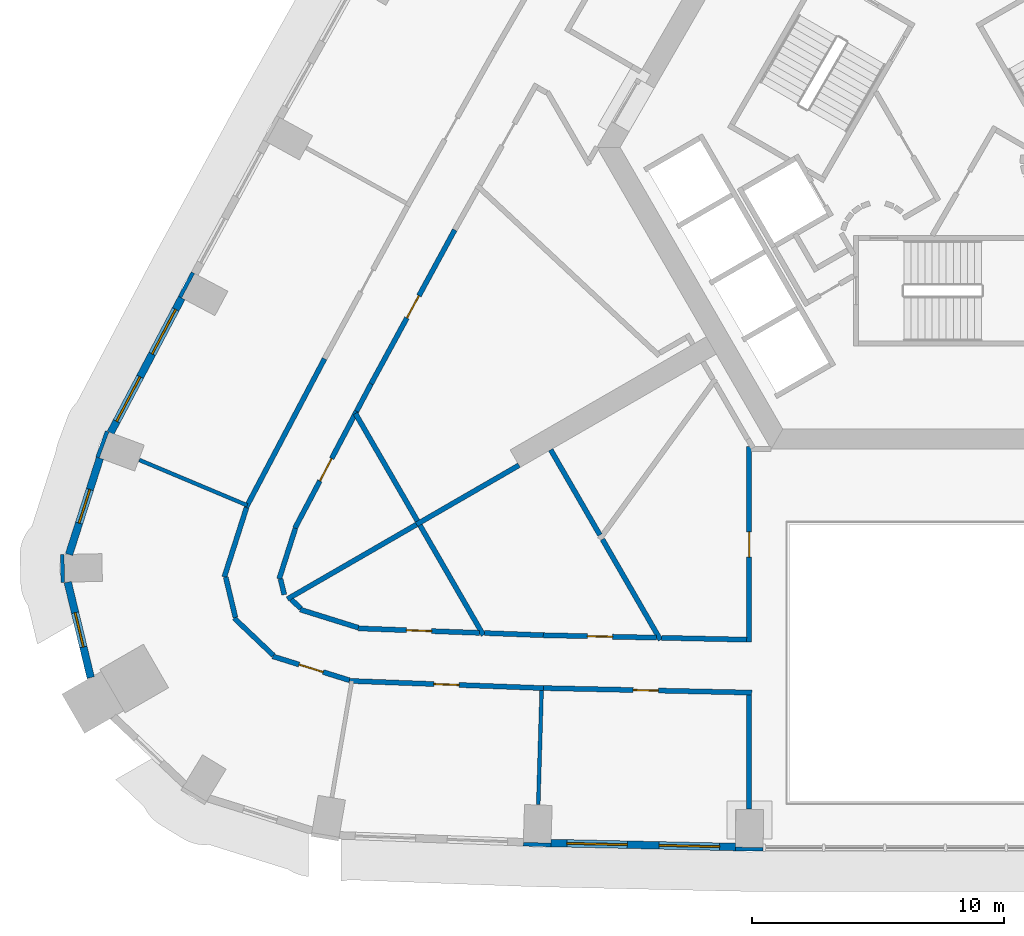
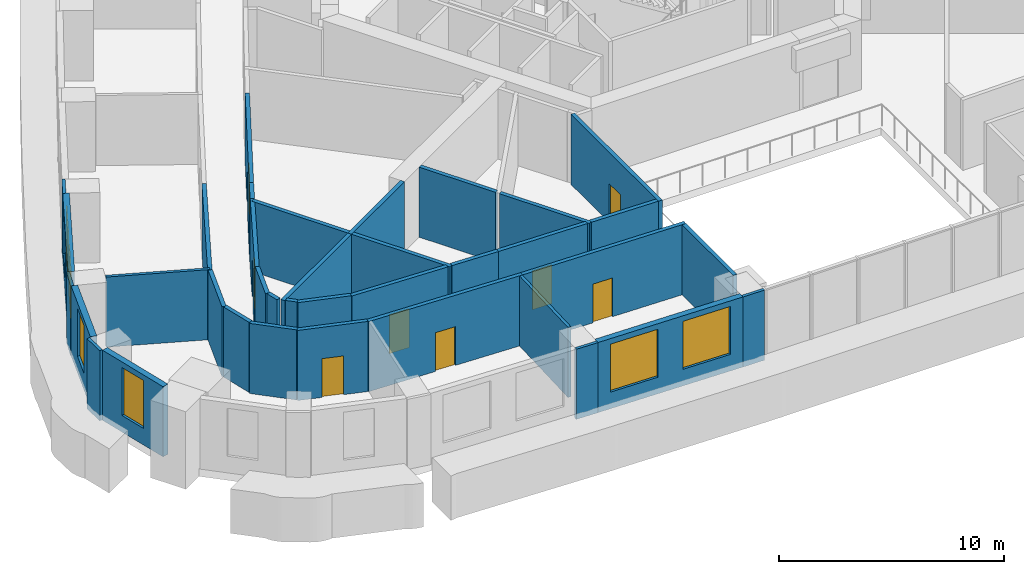
# One storey, part 4 of 17: 37 walls, 8 doors, 6 windows, 14 openings.
"""IFC4 building model written with IfcOpenShell, lengths in metres."""

from ifc_helpers import new_model, si_unit, direction, frame, frame_2d, origin, place, context, subcontext, project, spatial, rectangle, extrude, material, layer, layer_set, type_object, element, fill, save


model = new_model("IFC4")

# Units and contexts
model_context = context("Model", 3, precision=1e-05, world=origin(), true_north=direction((0.0, 1.0)))
body_context = subcontext(model_context, "Body", "Model", "MODEL_VIEW")
ifc_project = project(units=[si_unit("LENGTHUNIT", "METRE"), si_unit("AREAUNIT", "SQUARE_METRE"), si_unit("VOLUMEUNIT", "CUBIC_METRE"), si_unit("PLANEANGLEUNIT", "RADIAN"), si_unit("MASSUNIT", "GRAM", prefix="KILO")], contexts=[model_context])

# Site, building, storey
site_placement = place(None, origin())
site = spatial("IfcSite", under=ifc_project, at=site_placement, CompositionType="ELEMENT")
building_placement = place(site_placement, origin())
building = spatial("IfcBuilding", under=site, at=building_placement, Name="Entoto Arch Interchange Tower", CompositionType="ELEMENT")
storey_placement = place(building_placement, frame((0.0, 0.0, 167.60009765625)))
storey = spatial("IfcBuildingStorey", under=building, at=storey_placement, Name="L37", CompositionType="ELEMENT", Elevation=167.60009765625)

# Walls
ifc_material_1 = material(Name="Gypsum board partition on steel studs", Category="steel")
ifc_layer_1 = layer(ifc_material_1, 0.14990234375)
ifc_layer_set_1 = layer_set([ifc_layer_1], Name="Gypsum board partition on steel studs")
wall_type_1 = type_object("IfcWallType", Name="PARTITION 150", PredefinedType="PARTITIONING", material=ifc_layer_set_1)
wall_1_placement = place(storey_placement, frame((-27.7509765625, -11.72998046875, 0.0), z_axis=(0.0, 0.0, 1.0), x_axis=(-0.92196786851, 0.387266380462, 0.0)))
element("IfcWall", 1, at=wall_1_placement, inside=storey, type_object=wall_type_1, Name="wall:L37:p144", PredefinedType="PARTITIONING", context=body_context, shape_type="SweptSolid", body=[
    extrude(rectangle(XDim=4.653076171875, YDim=0.14990234375, at=frame_2d((2.32666015625, 0.0))), origin(), (0.0, 0.0, 1.0), 3.7998046875),
])
wall_2_placement = place(storey_placement, frame((-16.052001953125, -19.092041015625, 0.0), z_axis=(0.0, 0.0, 1.0), x_axis=(-0.029372127975, -0.999568545973, 0.0)))
element("IfcWall", 2, at=wall_2_placement, inside=storey, type_object=wall_type_1, Name="wall:L37:p146", PredefinedType="PARTITIONING", context=body_context, shape_type="SweptSolid", body=[
    extrude(rectangle(XDim=4.530029296875, YDim=0.14990234375, at=frame_2d((2.26513671875, 0.0))), origin(), (0.0, 0.0, 1.0), 3.7998046875),
])
ifc_layer_2 = layer(ifc_material_1, 0.199951171875)
ifc_layer_set_2 = layer_set([ifc_layer_2], Name="Gypsum board partition on steel studs")
wall_type_2 = type_object("IfcWallType", Name="PARTITION 200", PredefinedType="PARTITIONING", material=ifc_layer_set_2)
wall_3_placement = place(storey_placement, frame((-11.278076171875, -16.99609375, 0.0), z_axis=(0.0, 0.0, 1.0), x_axis=(0.999766613119, -0.021603687022, 0.0)))
element("IfcWall", 3, at=wall_3_placement, inside=storey, type_object=wall_type_2, Name="wall:L37:p031", PredefinedType="PARTITIONING", context=body_context, shape_type="SweptSolid", body=[
    extrude(rectangle(XDim=3.37890625, YDim=0.199951171875, at=frame_2d((1.689453125, 0.0))), origin(), (0.0, 0.0, 1.0), 3.7998046875),
])

# Wall, opening, door
wall_4_placement = place(storey_placement, frame((-19.506103515625, -0.784912109375, 0.0), z_axis=(0.0, 0.0, 1.0), x_axis=(-0.477513909405, -0.878624189472, 0.0)))
wall_4 = element("IfcWall", 4, at=wall_4_placement, inside=storey, type_object=wall_type_2, Name="wall:L37:p033", PredefinedType="PARTITIONING", context=body_context, shape_type="SweptSolid", body=[
    extrude(rectangle(XDim=6.956298828125, YDim=0.199951171875, at=frame_2d((3.47802734375, 0.0))), origin(), (0.0, 0.0, 1.0), 3.7998046875),
])
opening_1_placement = place(wall_4_placement, frame((2.97802734375, 0.0, 0.0)))
opening_1 = element("IfcOpeningElement", 5, at=opening_1_placement, cuts=wall_4, Name="Opening L37-D19", PredefinedType="OPENING", context=body_context, shape_type="SweptSolid", body=[
    extrude(rectangle(XDim=1.0, YDim=2.10009765625, at=frame_2d((0.5, 1.050048828125))), frame((0.0, 0.10986328125, 0.0), z_axis=(0.0, -1.0, 0.0), x_axis=(1.0, 0.0, 0.0)), (0.0, 0.0, 1.0), 0.219970703125),
])
ifc_material_2 = material(Name="Timber door leaf in Steel S235 frame", Category="steel")
door_type = type_object("IfcDoorType", Name="DOOR DS-10 1000x2100", OperationType="SINGLE_SWING_LEFT", PredefinedType="DOOR", material=ifc_material_2)
door_1_placement = place(opening_1_placement, origin())
door_1 = element("IfcDoor", 6, at=door_1_placement, inside=storey, type_object=door_type, Name="door:L37:19", OperationType="SINGLE_SWING_LEFT", OverallHeight=2.10009765625, OverallWidth=1.0, PredefinedType="DOOR", context=body_context, shape_type="SweptSolid", body=[
    extrude(rectangle(XDim=1.0, YDim=2.10009765625, at=frame_2d((0.5, 1.050048828125))), frame((0.0, 0.02490234375, 0.0), z_axis=(0.0, -1.0, 0.0), x_axis=(1.0, 0.0, 0.0)), (0.0, 0.0, 1.0), 0.050048828125),
])
fill(opening_1, door_1)

# Walls
wall_5_placement = place(storey_placement, frame((-22.827880859375, -6.89697265625, 0.0), z_axis=(0.0, 0.0, 1.0), x_axis=(-0.467225806893, -0.884138023938, 0.0)))
element("IfcWall", 7, at=wall_5_placement, inside=storey, type_object=wall_type_2, Name="wall:L37:p034", PredefinedType="PARTITIONING", context=body_context, shape_type="SweptSolid", body=[
    extrude(rectangle(XDim=1.2373046875, YDim=0.199951171875, at=frame_2d((0.61865234375, 0.0))), origin(), (0.0, 0.0, 1.0), 3.7998046875),
])
wall_6_placement = place(storey_placement, frame((-18.31591796875, -16.806884765625, 0.0), z_axis=(0.0, 0.0, 1.0), x_axis=(0.999315981353, -0.036980662692, 0.0)))
element("IfcWall", 8, at=wall_6_placement, inside=storey, type_object=wall_type_2, Name="wall:L37:p035", PredefinedType="PARTITIONING", context=body_context, shape_type="SweptSolid", body=[
    extrude(rectangle(XDim=2.33056640625, YDim=0.199951171875, at=frame_2d((1.165283203125, 0.0))), origin(), (0.0, 0.0, 1.0), 3.7998046875),
])

# Wall, opening, door
wall_7_placement = place(storey_placement, frame((-15.987060546875, -16.89306640625, 0.0), z_axis=(0.0, 0.0, 1.0), x_axis=(0.999764376572, -0.021706942174, 0.0)))
wall_7 = element("IfcWall", 9, at=wall_7_placement, inside=storey, type_object=wall_type_2, Name="wall:L37:p036", PredefinedType="PARTITIONING", context=body_context, shape_type="SweptSolid", body=[
    extrude(rectangle(XDim=4.510009765625, YDim=0.199951171875, at=frame_2d((2.2548828125, 0.0))), origin(), (0.0, 0.0, 1.0), 3.7998046875),
])
opening_2_placement = place(wall_7_placement, frame((1.7548828125, 0.0, 0.0)))
opening_2 = element("IfcOpeningElement", 10, at=opening_2_placement, cuts=wall_7, Name="Opening L37-D20", PredefinedType="OPENING", context=body_context, shape_type="SweptSolid", body=[
    extrude(rectangle(XDim=1.0, YDim=2.10009765625, at=frame_2d((0.5, 1.050048828125))), frame((0.0, 0.10986328125, 0.0), z_axis=(0.0, -1.0, 0.0), x_axis=(1.0, 0.0, 0.0)), (0.0, 0.0, 1.0), 0.219970703125),
])
door_2_placement = place(opening_2_placement, origin())
door_2 = element("IfcDoor", 11, at=door_2_placement, inside=storey, type_object=door_type, Name="door:L37:20", OperationType="SINGLE_SWING_LEFT", OverallHeight=2.10009765625, OverallWidth=1.0, PredefinedType="DOOR", context=body_context, shape_type="SweptSolid", body=[
    extrude(rectangle(XDim=1.0, YDim=2.10009765625, at=frame_2d((0.5, 1.050048828125))), frame((0.0, 0.02490234375, 0.0), z_axis=(0.0, -1.0, 0.0), x_axis=(1.0, 0.0, 0.0)), (0.0, 0.0, 1.0), 0.050048828125),
])
fill(opening_2, door_2)

wall_8_placement = place(storey_placement, frame((-23.406005859375, -7.990966796875, 0.0), z_axis=(0.0, 0.0, 1.0), x_axis=(-0.466307932558, -0.884622468646, 0.0)))
wall_8 = element("IfcWall", 12, at=wall_8_placement, inside=storey, type_object=wall_type_2, Name="wall:L37:p037", PredefinedType="PARTITIONING", context=body_context, shape_type="SweptSolid", body=[
    extrude(rectangle(XDim=5.249755859375, YDim=0.199951171875, at=frame_2d((2.625, 0.0))), origin(), (0.0, 0.0, 1.0), 3.7998046875),
])
opening_3_placement = place(wall_8_placement, frame((2.125, 0.0, 0.0)))
opening_3 = element("IfcOpeningElement", 13, at=opening_3_placement, cuts=wall_8, Name="Opening L37-D21", PredefinedType="OPENING", context=body_context, shape_type="SweptSolid", body=[
    extrude(rectangle(XDim=1.0, YDim=2.10009765625, at=frame_2d((0.5, 1.050048828125))), frame((0.0, 0.10986328125, 0.0), z_axis=(0.0, -1.0, 0.0), x_axis=(1.0, 0.0, 0.0)), (0.0, 0.0, 1.0), 0.219970703125),
])
door_3_placement = place(opening_3_placement, origin())
door_3 = element("IfcDoor", 14, at=door_3_placement, inside=storey, type_object=door_type, Name="door:L37:21", OperationType="SINGLE_SWING_LEFT", OverallHeight=2.10009765625, OverallWidth=1.0, PredefinedType="DOOR", context=body_context, shape_type="SweptSolid", body=[
    extrude(rectangle(XDim=1.0, YDim=2.10009765625, at=frame_2d((0.5, 1.050048828125))), frame((0.0, 0.02490234375, 0.0), z_axis=(0.0, -1.0, 0.0), x_axis=(1.0, 0.0, 0.0)), (0.0, 0.0, 1.0), 0.050048828125),
])
fill(opening_3, door_3)

# Walls
wall_9_placement = place(storey_placement, frame((-25.837890625, -12.64208984375, 0.0), z_axis=(0.0, 0.0, 1.0), x_axis=(-0.305169069368, -0.952298188122, 0.0)))
element("IfcWall", 15, at=wall_9_placement, inside=storey, type_object=wall_type_2, Name="wall:L37:p038", PredefinedType="PARTITIONING", context=body_context, shape_type="SweptSolid", body=[
    extrude(rectangle(XDim=2.116943359375, YDim=0.199951171875, at=frame_2d((1.05859375, 0.0))), origin(), (0.0, 0.0, 1.0), 3.7998046875),
])
wall_10_placement = place(storey_placement, frame((-26.429931640625, -14.659912109375, 0.0), z_axis=(0.0, 0.0, 1.0), x_axis=(0.233574377125, -0.972338938, 0.0)))
element("IfcWall", 16, at=wall_10_placement, inside=storey, type_object=wall_type_2, Name="wall:L37:p039", PredefinedType="PARTITIONING", context=body_context, shape_type="SweptSolid", body=[
    extrude(rectangle(XDim=0.641845703125, YDim=0.199951171875, at=frame_2d((0.32080078125, 0.0))), origin(), (0.0, 0.0, 1.0), 3.7998046875),
])
wall_11_placement = place(storey_placement, frame((-25.998046875, -15.47607421875, 0.0), z_axis=(0.0, 0.0, 1.0), x_axis=(0.724294499657, -0.689490737985, 0.0)))
element("IfcWall", 17, at=wall_11_placement, inside=storey, type_object=wall_type_2, Name="wall:L37:p040", PredefinedType="PARTITIONING", context=body_context, shape_type="SweptSolid", body=[
    extrude(rectangle(XDim=0.51904296875, YDim=0.199951171875, at=frame_2d((0.259521484375, 0.0))), origin(), (0.0, 0.0, 1.0), 3.7998046875),
])
wall_12_placement = place(storey_placement, frame((-25.64501953125, -15.873046875, 0.0), z_axis=(0.0, 0.0, 1.0), x_axis=(0.95454810771, -0.298056890655, 0.0)))
element("IfcWall", 18, at=wall_12_placement, inside=storey, type_object=wall_type_2, Name="wall:L37:p041", PredefinedType="PARTITIONING", context=body_context, shape_type="SweptSolid", body=[
    extrude(rectangle(XDim=2.422119140625, YDim=0.199951171875, at=frame_2d((1.2109375, 0.0))), origin(), (0.0, 0.0, 1.0), 3.7998046875),
])

# Wall, opening, door
wall_13_placement = place(storey_placement, frame((-23.3369140625, -16.62109375, 0.0), z_axis=(0.0, 0.0, 1.0), x_axis=(0.999311710526, -0.037095892019, 0.0)))
wall_13 = element("IfcWall", 19, at=wall_13_placement, inside=storey, type_object=wall_type_2, Name="wall:L37:p042", PredefinedType="PARTITIONING", context=body_context, shape_type="SweptSolid", body=[
    extrude(rectangle(XDim=4.82421875, YDim=0.199951171875, at=frame_2d((2.412109375, 0.0))), origin(), (0.0, 0.0, 1.0), 3.7998046875),
])
opening_4_placement = place(wall_13_placement, frame((1.9130859375, 0.0, 0.0)))
opening_4 = element("IfcOpeningElement", 20, at=opening_4_placement, cuts=wall_13, Name="Opening L37-D22", PredefinedType="OPENING", context=body_context, shape_type="SweptSolid", body=[
    extrude(rectangle(XDim=1.0, YDim=2.10009765625, at=frame_2d((0.5, 1.050048828125))), frame((0.0, 0.10986328125, 0.0), z_axis=(0.0, -1.0, 0.0), x_axis=(1.0, 0.0, 0.0)), (0.0, 0.0, 1.0), 0.219970703125),
])
door_4_placement = place(opening_4_placement, origin())
door_4 = element("IfcDoor", 21, at=door_4_placement, inside=storey, type_object=door_type, Name="door:L37:22", OperationType="SINGLE_SWING_LEFT", OverallHeight=2.10009765625, OverallWidth=1.0, PredefinedType="DOOR", context=body_context, shape_type="SweptSolid", body=[
    extrude(rectangle(XDim=1.0, YDim=2.10009765625, at=frame_2d((0.5, 1.050048828125))), frame((0.0, 0.02490234375, 0.0), z_axis=(0.0, -1.0, 0.0), x_axis=(1.0, 0.0, 0.0)), (0.0, 0.0, 1.0), 0.050048828125),
])
fill(opening_4, door_4)

# Wall
wall_14_placement = place(storey_placement, frame((-27.798095703125, -11.819091796875, 0.0), z_axis=(0.0, 0.0, 1.0), x_axis=(0.466450727507, 0.884547182918, 0.0)))
element("IfcWall", 22, at=wall_14_placement, inside=storey, type_object=wall_type_2, Name="wall:L37:p070", PredefinedType="PARTITIONING", context=body_context, shape_type="SweptSolid", body=[
    extrude(rectangle(XDim=6.684814453125, YDim=0.199951171875, at=frame_2d((3.34228515625, 0.0))), origin(), (0.0, 0.0, 1.0), 3.7998046875),
])

# Wall, opening, door
wall_15_placement = place(storey_placement, frame((-23.69091796875, -18.68310546875, 0.0), z_axis=(0.0, 0.0, 1.0), x_axis=(-0.954546657381, 0.298061535398, 0.0)))
wall_15 = element("IfcWall", 23, at=wall_15_placement, inside=storey, type_object=wall_type_2, Name="wall:L37:p072", PredefinedType="PARTITIONING", context=body_context, shape_type="SweptSolid", body=[
    extrude(rectangle(XDim=3.191162109375, YDim=0.199951171875, at=frame_2d((1.595703125, 0.0))), origin(), (0.0, 0.0, 1.0), 3.7998046875),
])
opening_5_placement = place(wall_15_placement, frame((1.095947265625, 0.0, 0.0)))
opening_5 = element("IfcOpeningElement", 24, at=opening_5_placement, cuts=wall_15, Name="Opening L37-D12", PredefinedType="OPENING", context=body_context, shape_type="SweptSolid", body=[
    extrude(rectangle(XDim=1.0, YDim=2.10009765625, at=frame_2d((0.5, 1.050048828125))), frame((0.0, 0.10986328125, 0.0), z_axis=(0.0, -1.0, 0.0), x_axis=(1.0, 0.0, 0.0)), (0.0, 0.0, 1.0), 0.219970703125),
])
door_5_placement = place(opening_5_placement, origin())
door_5 = element("IfcDoor", 25, at=door_5_placement, inside=storey, type_object=door_type, Name="door:L37:12", OperationType="SINGLE_SWING_LEFT", OverallHeight=2.10009765625, OverallWidth=1.0, PredefinedType="DOOR", context=body_context, shape_type="SweptSolid", body=[
    extrude(rectangle(XDim=1.0, YDim=2.10009765625, at=frame_2d((0.5, 1.050048828125))), frame((0.0, 0.02490234375, 0.0), z_axis=(0.0, -1.0, 0.0), x_axis=(1.0, 0.0, 0.0)), (0.0, 0.0, 1.0), 0.050048828125),
])
fill(opening_5, door_5)

# Walls
wall_16_placement = place(storey_placement, frame((-26.714111328125, -17.693115234375, 0.0), z_axis=(0.0, 0.0, 1.0), x_axis=(-0.724712974479, 0.689050872303, 0.0)))
element("IfcWall", 26, at=wall_16_placement, inside=storey, type_object=wall_type_2, Name="wall:L37:p073", PredefinedType="PARTITIONING", context=body_context, shape_type="SweptSolid", body=[
    extrude(rectangle(XDim=2.149658203125, YDim=0.199951171875, at=frame_2d((1.07470703125, 0.0))), origin(), (0.0, 0.0, 1.0), 3.7998046875),
])
wall_17_placement = place(storey_placement, frame((-28.222900390625, -16.18408203125, 0.0), z_axis=(0.0, 0.0, 1.0), x_axis=(-0.233826017197, 0.972278454807, 0.0)))
element("IfcWall", 27, at=wall_17_placement, inside=storey, type_object=wall_type_2, Name="wall:L37:p074", PredefinedType="PARTITIONING", context=body_context, shape_type="SweptSolid", body=[
    extrude(rectangle(XDim=1.650634765625, YDim=0.199951171875, at=frame_2d((0.8251953125, 0.0))), origin(), (0.0, 0.0, 1.0), 3.7998046875),
])
wall_18_placement = place(storey_placement, frame((-28.6630859375, -14.576904296875, 0.0), z_axis=(0.0, 0.0, 1.0), x_axis=(0.304925942137, 0.952376065329, 0.0)))
element("IfcWall", 28, at=wall_18_placement, inside=storey, type_object=wall_type_2, Name="wall:L37:p075", PredefinedType="PARTITIONING", context=body_context, shape_type="SweptSolid", body=[
    extrude(rectangle(XDim=2.8896484375, YDim=0.199951171875, at=frame_2d((1.44482421875, 0.0))), origin(), (0.0, 0.0, 1.0), 3.7998046875),
])

# Wall, opening, door
wall_19_placement = place(storey_placement, frame((-15.97412109375, -18.9951171875, 0.0), z_axis=(0.0, 0.0, 1.0), x_axis=(-0.999314011084, 0.037033866276, 0.0)))
wall_19 = element("IfcWall", 29, at=wall_19_placement, inside=storey, type_object=wall_type_2, Name="wall:L37:p076", PredefinedType="PARTITIONING", context=body_context, shape_type="SweptSolid", body=[
    extrude(rectangle(XDim=7.726318359375, YDim=0.199951171875, at=frame_2d((3.86328125, 0.0))), origin(), (0.0, 0.0, 1.0), 3.7998046875),
])
opening_6_placement = place(wall_19_placement, frame((3.363037109375, 0.0, 0.0)))
opening_6 = element("IfcOpeningElement", 30, at=opening_6_placement, cuts=wall_19, Name="Opening L37-D13", PredefinedType="OPENING", context=body_context, shape_type="SweptSolid", body=[
    extrude(rectangle(XDim=1.0, YDim=2.10009765625, at=frame_2d((0.5, 1.050048828125))), frame((0.0, 0.10986328125, 0.0), z_axis=(0.0, -1.0, 0.0), x_axis=(1.0, 0.0, 0.0)), (0.0, 0.0, 1.0), 0.219970703125),
])
door_6_placement = place(opening_6_placement, origin())
door_6 = element("IfcDoor", 31, at=door_6_placement, inside=storey, type_object=door_type, Name="door:L37:13", OperationType="SINGLE_SWING_LEFT", OverallHeight=2.10009765625, OverallWidth=1.0, PredefinedType="DOOR", context=body_context, shape_type="SweptSolid", body=[
    extrude(rectangle(XDim=1.0, YDim=2.10009765625, at=frame_2d((0.5, 1.050048828125))), frame((0.0, 0.02490234375, 0.0), z_axis=(0.0, -1.0, 0.0), x_axis=(1.0, 0.0, 0.0)), (0.0, 0.0, 1.0), 0.050048828125),
])
fill(opening_6, door_6)

wall_20_placement = place(storey_placement, frame((-7.699951171875, -19.174072265625, 0.0), z_axis=(0.0, 0.0, 1.0), x_axis=(-0.999762993889, 0.02177053169, 0.0)))
wall_20 = element("IfcWall", 32, at=wall_20_placement, inside=storey, type_object=wall_type_2, Name="wall:L37:p077", PredefinedType="PARTITIONING", context=body_context, shape_type="SweptSolid", body=[
    extrude(rectangle(XDim=8.276123046875, YDim=0.199951171875, at=frame_2d((4.13818359375, 0.0))), origin(), (0.0, 0.0, 1.0), 3.7998046875),
])
opening_7_placement = place(wall_20_placement, frame((3.712890625, 0.0, 0.0)))
opening_7 = element("IfcOpeningElement", 33, at=opening_7_placement, cuts=wall_20, Name="Opening L37-D14", PredefinedType="OPENING", context=body_context, shape_type="SweptSolid", body=[
    extrude(rectangle(XDim=1.0, YDim=2.10009765625, at=frame_2d((0.5, 1.050048828125))), frame((0.0, 0.10986328125, 0.0), z_axis=(0.0, -1.0, 0.0), x_axis=(1.0, 0.0, 0.0)), (0.0, 0.0, 1.0), 0.219970703125),
])
door_7_placement = place(opening_7_placement, origin())
door_7 = element("IfcDoor", 34, at=door_7_placement, inside=storey, type_object=door_type, Name="door:L37:14", OperationType="SINGLE_SWING_RIGHT", OverallHeight=2.10009765625, OverallWidth=1.0, PredefinedType="DOOR", context=body_context, shape_type="SweptSolid", body=[
    extrude(rectangle(XDim=1.0, YDim=2.10009765625, at=frame_2d((0.5, 1.050048828125))), frame((0.0, 0.02490234375, 0.0), z_axis=(0.0, -1.0, 0.0), x_axis=(1.0, 0.0, 0.0)), (0.0, 0.0, 1.0), 0.050048828125),
])
fill(opening_7, door_7)

wall_21_placement = place(storey_placement, frame((-7.800048828125, -17.1708984375, 0.0), z_axis=(0.0, 0.0, 1.0), x_axis=(0.0, 1.0, 0.0)))
wall_21 = element("IfcWall", 35, at=wall_21_placement, inside=storey, type_object=wall_type_2, Name="wall:L37:p118", PredefinedType="PARTITIONING", context=body_context, shape_type="SweptSolid", body=[
    extrude(rectangle(XDim=7.77197265625, YDim=0.199951171875, at=frame_2d((3.885986328125, 0.0))), origin(), (0.0, 0.0, 1.0), 3.7998046875),
])
opening_8_placement = place(wall_21_placement, frame((3.385986328125, 0.0, 0.0)))
opening_8 = element("IfcOpeningElement", 36, at=opening_8_placement, cuts=wall_21, Name="Opening L37-D18", PredefinedType="OPENING", context=body_context, shape_type="SweptSolid", body=[
    extrude(rectangle(XDim=1.0, YDim=2.10009765625, at=frame_2d((0.5, 1.050048828125))), frame((0.0, 0.10986328125, 0.0), z_axis=(0.0, -1.0, 0.0), x_axis=(1.0, 0.0, 0.0)), (0.0, 0.0, 1.0), 0.219970703125),
])
door_8_placement = place(opening_8_placement, origin())
door_8 = element("IfcDoor", 37, at=door_8_placement, inside=storey, type_object=door_type, Name="door:L37:18", OperationType="SINGLE_SWING_LEFT", OverallHeight=2.10009765625, OverallWidth=1.0, PredefinedType="DOOR", context=body_context, shape_type="SweptSolid", body=[
    extrude(rectangle(XDim=1.0, YDim=2.10009765625, at=frame_2d((0.5, 1.050048828125))), frame((0.0, 0.02490234375, 0.0), z_axis=(0.0, -1.0, 0.0), x_axis=(1.0, 0.0, 0.0)), (0.0, 0.0, 1.0), 0.050048828125),
])
fill(opening_8, door_8)

# Walls
wall_22_placement = place(storey_placement, frame((-7.800048828125, -23.802978515625, 0.0), z_axis=(0.0, 0.0, 1.0), x_axis=(0.0, 1.0, 0.0)))
element("IfcWall", 38, at=wall_22_placement, inside=storey, type_object=wall_type_2, Name="wall:L37:p120", PredefinedType="PARTITIONING", context=body_context, shape_type="SweptSolid", body=[
    extrude(rectangle(XDim=4.531005859375, YDim=0.199951171875, at=frame_2d((2.265625, 0.0))), origin(), (0.0, 0.0, 1.0), 3.7998046875),
])
wall_23_placement = place(storey_placement, frame((-11.327880859375, -17.080078125, 0.0), z_axis=(0.0, 0.0, 1.0), x_axis=(-0.499972710878, 0.866041158593, 0.0)))
element("IfcWall", 39, at=wall_23_placement, inside=storey, type_object=wall_type_2, Name="wall:L37:p128", PredefinedType="PARTITIONING", context=body_context, shape_type="SweptSolid", body=[
    extrude(rectangle(XDim=4.616455078125, YDim=0.199951171875, at=frame_2d((2.30810546875, 0.0))), origin(), (0.0, 0.0, 1.0), 3.7998046875),
])
wall_24_placement = place(storey_placement, frame((-13.736083984375, -12.908935546875, 0.0), z_axis=(0.0, 0.0, 1.0), x_axis=(-0.49990810406, 0.866078453429, 0.0)))
element("IfcWall", 40, at=wall_24_placement, inside=storey, type_object=wall_type_2, Name="wall:L37:p129", PredefinedType="PARTITIONING", context=body_context, shape_type="SweptSolid", body=[
    extrude(rectangle(XDim=3.908447265625, YDim=0.199951171875, at=frame_2d((1.9541015625, 0.0))), origin(), (0.0, 0.0, 1.0), 3.7998046875),
])
wall_25_placement = place(storey_placement, frame((-16.951904296875, -10.137939453125, 0.0), z_axis=(0.0, 0.0, 1.0), x_axis=(-0.866054992606, -0.499948747156, 0.0)))
element("IfcWall", 41, at=wall_25_placement, inside=storey, type_object=wall_type_2, Name="wall:L37:p130", PredefinedType="PARTITIONING", context=body_context, shape_type="SweptSolid", body=[
    extrude(rectangle(XDim=4.70068359375, YDim=0.199951171875, at=frame_2d((2.350341796875, 0.0))), origin(), (0.0, 0.0, 1.0), 3.7998046875),
])
wall_26_placement = place(storey_placement, frame((-20.986083984375, -12.35107421875, 0.0), z_axis=(0.0, 0.0, 1.0), x_axis=(-0.499993851206, 0.866028953763, 0.0)))
element("IfcWall", 42, at=wall_26_placement, inside=storey, type_object=wall_type_2, Name="wall:L37:p131", PredefinedType="PARTITIONING", context=body_context, shape_type="SweptSolid", body=[
    extrude(rectangle(XDim=4.931640625, YDim=0.199951171875, at=frame_2d((2.4658203125, 0.0))), origin(), (0.0, 0.0, 1.0), 3.7998046875),
])
wall_27_placement = place(storey_placement, frame((-18.365966796875, -16.889892578125, 0.0), z_axis=(0.0, 0.0, 1.0), x_axis=(-0.499965828395, 0.866045131871, 0.0)))
element("IfcWall", 43, at=wall_27_placement, inside=storey, type_object=wall_type_2, Name="wall:L37:p132", PredefinedType="PARTITIONING", context=body_context, shape_type="SweptSolid", body=[
    extrude(rectangle(XDim=5.036376953125, YDim=0.199951171875, at=frame_2d((2.51806640625, 0.0))), origin(), (0.0, 0.0, 1.0), 3.7998046875),
])
wall_28_placement = place(storey_placement, frame((-21.02099609375, -12.490966796875, 0.0), z_axis=(0.0, 0.0, 1.0), x_axis=(-0.865966890845, -0.500101333692, 0.0)))
element("IfcWall", 44, at=wall_28_placement, inside=storey, type_object=wall_type_2, Name="wall:L37:p133", PredefinedType="PARTITIONING", context=body_context, shape_type="SweptSolid", body=[
    extrude(rectangle(XDim=5.930908203125, YDim=0.199951171875, at=frame_2d((2.96533203125, 0.0))), origin(), (0.0, 0.0, 1.0), 3.7998046875),
])

# Wall, openings, windows
ifc_material_3 = material(Name="Welded tuff (ignimbrite) cladding, warm buff", Category="masonry")
ifc_layer_3 = layer(ifc_material_3, 0.300048828125)
ifc_layer_set_3 = layer_set([ifc_layer_3], Name="Welded tuff (ignimbrite) cladding, warm buff")
wall_type_3 = type_object("IfcWallType", Name="STONE INFILL WALL 300", PredefinedType="STANDARD", material=ifc_layer_set_3)
wall_29_placement = place(storey_placement, frame((-15.679931640625, -25.152099609375, 0.0), z_axis=(0.0, 0.0, 1.0), x_axis=(0.999765201774, -0.021668902196, 0.0)))
wall_29 = element("IfcWall", 45, at=wall_29_placement, inside=storey, type_object=wall_type_3, Name="Facade wall S-02 L37", PredefinedType="STANDARD", context=body_context, shape_type="SweptSolid", body=[
    extrude(rectangle(XDim=7.334716796875, YDim=0.300048828125, at=frame_2d((3.66748046875, 0.0))), origin(), (0.0, 0.0, 1.0), 3.7998046875),
])
opening_9_placement = place(wall_29_placement, frame((0.634033203125, 0.0, 0.89990234375)))
opening_9 = element("IfcOpeningElement", 46, at=opening_9_placement, cuts=wall_29, Name="Opening WO-A", PredefinedType="OPENING", context=body_context, shape_type="SweptSolid", body=[
    extrude(rectangle(XDim=2.39990234375, YDim=2.60009765625, at=frame_2d((1.199951171875, 1.300048828125))), frame((0.0, 0.16015625, 0.0), z_axis=(0.0, -1.0, 0.0), x_axis=(1.0, 0.0, 0.0)), (0.0, 0.0, 1.0), 0.320068359375),
])
opening_10_placement = place(wall_29_placement, frame((4.301025390625, 0.0, 0.89990234375)))
opening_10 = element("IfcOpeningElement", 47, at=opening_10_placement, cuts=wall_29, Name="Opening WO-A", PredefinedType="OPENING", context=body_context, shape_type="SweptSolid", body=[
    extrude(rectangle(XDim=2.39990234375, YDim=2.60009765625, at=frame_2d((1.199951171875, 1.300048828125))), frame((0.0, 0.16015625, 0.0), z_axis=(0.0, -1.0, 0.0), x_axis=(1.0, 0.0, 0.0)), (0.0, 0.0, 1.0), 0.320068359375),
])
ifc_material_4 = material(Name="Clear glass, low-e double glazed", Category="glass")
window_type_1 = type_object("IfcWindowType", Name="WINDOW WO-A 2400x2600", PartitioningType="DOUBLE_PANEL_VERTICAL", PredefinedType="WINDOW", material=ifc_material_4)
window_1_placement = place(opening_9_placement, origin())
window_1 = element("IfcWindow", 48, at=window_1_placement, inside=storey, type_object=window_type_1, Name="Window WO-A S-02 L37", OverallHeight=2.60009765625, OverallWidth=2.39990234375, PartitioningType="SINGLE_PANEL", PredefinedType="WINDOW", context=body_context, shape_type="SweptSolid", body=[
    extrude(rectangle(XDim=2.39990234375, YDim=2.60009765625, at=frame_2d((1.199951171875, 1.300048828125))), frame((0.0, 0.030029296875, 0.0), z_axis=(0.0, -1.0, 0.0), x_axis=(1.0, 0.0, 0.0)), (0.0, 0.0, 1.0), 0.06005859375),
])
fill(opening_9, window_1)
window_2_placement = place(opening_10_placement, origin())
window_2 = element("IfcWindow", 49, at=window_2_placement, inside=storey, type_object=window_type_1, Name="Window WO-A S-02 L37", OverallHeight=2.60009765625, OverallWidth=2.39990234375, PartitioningType="SINGLE_PANEL", PredefinedType="WINDOW", context=body_context, shape_type="SweptSolid", body=[
    extrude(rectangle(XDim=2.39990234375, YDim=2.60009765625, at=frame_2d((1.199951171875, 1.300048828125))), frame((0.0, 0.030029296875, 0.0), z_axis=(0.0, -1.0, 0.0), x_axis=(1.0, 0.0, 0.0)), (0.0, 0.0, 1.0), 0.06005859375),
])
fill(opening_10, window_2)

wall_30_placement = place(storey_placement, frame((-30.35791015625, -3.488037109375, 0.0), z_axis=(0.0, 0.0, 1.0), x_axis=(-0.466399410196, -0.884574242316, 0.0)))
wall_30 = element("IfcWall", 50, at=wall_30_placement, inside=storey, type_object=wall_type_3, Name="Facade wall NW-07 L37", PredefinedType="STANDARD", context=body_context, shape_type="SweptSolid", body=[
    extrude(rectangle(XDim=6.054931640625, YDim=0.300048828125, at=frame_2d((3.02734375, 0.0))), origin(), (0.0, 0.0, 1.0), 3.7998046875),
])
opening_11_placement = place(wall_30_placement, frame((0.513916015625, 0.0, 0.89990234375)))
opening_11 = element("IfcOpeningElement", 51, at=opening_11_placement, cuts=wall_30, Name="Opening WO-C", PredefinedType="OPENING", context=body_context, shape_type="SweptSolid", body=[
    extrude(rectangle(XDim=2.0, YDim=2.60009765625, at=frame_2d((1.0, 1.300048828125))), frame((0.0, 0.16015625, 0.0), z_axis=(0.0, -1.0, 0.0), x_axis=(1.0, 0.0, 0.0)), (0.0, 0.0, 1.0), 0.320068359375),
])
opening_12_placement = place(wall_30_placement, frame((3.541015625, 0.0, 0.89990234375)))
opening_12 = element("IfcOpeningElement", 52, at=opening_12_placement, cuts=wall_30, Name="Opening WO-C", PredefinedType="OPENING", context=body_context, shape_type="SweptSolid", body=[
    extrude(rectangle(XDim=2.0, YDim=2.60009765625, at=frame_2d((1.0, 1.300048828125))), frame((0.0, 0.16015625, 0.0), z_axis=(0.0, -1.0, 0.0), x_axis=(1.0, 0.0, 0.0)), (0.0, 0.0, 1.0), 0.320068359375),
])
window_type_2 = type_object("IfcWindowType", Name="WINDOW WO-C 2000x2600", PartitioningType="DOUBLE_PANEL_VERTICAL", PredefinedType="WINDOW", material=ifc_material_4)
window_3_placement = place(opening_11_placement, origin())
window_3 = element("IfcWindow", 53, at=window_3_placement, inside=storey, type_object=window_type_2, Name="Window WO-C NW-07 L37", OverallHeight=2.60009765625, OverallWidth=2.0, PartitioningType="SINGLE_PANEL", PredefinedType="WINDOW", context=body_context, shape_type="SweptSolid", body=[
    extrude(rectangle(XDim=2.0, YDim=2.60009765625, at=frame_2d((1.0, 1.300048828125))), frame((0.0, 0.030029296875, 0.0), z_axis=(0.0, -1.0, 0.0), x_axis=(1.0, 0.0, 0.0)), (0.0, 0.0, 1.0), 0.06005859375),
])
fill(opening_11, window_3)
window_4_placement = place(opening_12_placement, origin())
window_4 = element("IfcWindow", 54, at=window_4_placement, inside=storey, type_object=window_type_2, Name="Window WO-C NW-07 L37", OverallHeight=2.60009765625, OverallWidth=2.0, PartitioningType="SINGLE_PANEL", PredefinedType="WINDOW", context=body_context, shape_type="SweptSolid", body=[
    extrude(rectangle(XDim=2.0, YDim=2.60009765625, at=frame_2d((1.0, 1.300048828125))), frame((0.0, 0.030029296875, 0.0), z_axis=(0.0, -1.0, 0.0), x_axis=(1.0, 0.0, 0.0)), (0.0, 0.0, 1.0), 0.06005859375),
])
fill(opening_12, window_4)

# Wall, opening, window
wall_31_placement = place(storey_placement, frame((-33.60888671875, -9.85595703125, 0.0), z_axis=(0.0, 0.0, 1.0), x_axis=(-0.305018133869, -0.952346543025, 0.0)))
wall_31 = element("IfcWall", 55, at=wall_31_placement, inside=storey, type_object=wall_type_3, Name="Facade wall SW-01 L37", PredefinedType="STANDARD", context=body_context, shape_type="SweptSolid", body=[
    extrude(rectangle(XDim=4.019775390625, YDim=0.300048828125, at=frame_2d((2.009765625, 0.0))), origin(), (0.0, 0.0, 1.0), 3.7998046875),
])
opening_13_placement = place(wall_31_placement, frame((1.31005859375, 0.0, 0.89990234375)))
opening_13 = element("IfcOpeningElement", 56, at=opening_13_placement, cuts=wall_31, Name="Opening WO-B", PredefinedType="OPENING", context=body_context, shape_type="SweptSolid", body=[
    extrude(rectangle(XDim=1.39990234375, YDim=2.60009765625, at=frame_2d((0.699951171875, 1.300048828125))), frame((0.0, 0.16015625, 0.0), z_axis=(0.0, -1.0, 0.0), x_axis=(1.0, 0.0, 0.0)), (0.0, 0.0, 1.0), 0.320068359375),
])
window_type_3 = type_object("IfcWindowType", Name="WINDOW WO-B 1400x2600", PartitioningType="DOUBLE_PANEL_VERTICAL", PredefinedType="WINDOW", material=ifc_material_4)
window_5_placement = place(opening_13_placement, origin())
window_5 = element("IfcWindow", 57, at=window_5_placement, inside=storey, type_object=window_type_3, Name="Window WO-B SW-01 L37", OverallHeight=2.60009765625, OverallWidth=1.39990234375, PartitioningType="SINGLE_PANEL", PredefinedType="WINDOW", context=body_context, shape_type="SweptSolid", body=[
    extrude(rectangle(XDim=1.39990234375, YDim=2.60009765625, at=frame_2d((0.699951171875, 1.300048828125))), frame((0.0, 0.030029296875, 0.0), z_axis=(0.0, -1.0, 0.0), x_axis=(1.0, 0.0, 0.0)), (0.0, 0.0, 1.0), 0.06005859375),
])
fill(opening_13, window_5)

wall_32_placement = place(storey_placement, frame((-34.885986328125, -14.782958984375, 0.0), z_axis=(0.0, 0.0, 1.0), x_axis=(0.234102046927, -0.972212030179, 0.0)))
wall_32 = element("IfcWall", 58, at=wall_32_placement, inside=storey, type_object=wall_type_3, Name="Facade wall SW-02 L37", PredefinedType="STANDARD", context=body_context, shape_type="SweptSolid", body=[
    extrude(rectangle(XDim=3.900390625, YDim=0.300048828125, at=frame_2d((1.9501953125, 0.0))), origin(), (0.0, 0.0, 1.0), 3.7998046875),
])
opening_14_placement = place(wall_32_placement, frame((1.25, 0.0, 0.89990234375)))
opening_14 = element("IfcOpeningElement", 59, at=opening_14_placement, cuts=wall_32, Name="Opening WO-B", PredefinedType="OPENING", context=body_context, shape_type="SweptSolid", body=[
    extrude(rectangle(XDim=1.39990234375, YDim=2.60009765625, at=frame_2d((0.699951171875, 1.300048828125))), frame((0.0, 0.16015625, 0.0), z_axis=(0.0, -1.0, 0.0), x_axis=(1.0, 0.0, 0.0)), (0.0, 0.0, 1.0), 0.320068359375),
])
window_6_placement = place(opening_14_placement, origin())
window_6 = element("IfcWindow", 60, at=window_6_placement, inside=storey, type_object=window_type_3, Name="Window WO-B SW-02 L37", OverallHeight=2.60009765625, OverallWidth=1.39990234375, PartitioningType="SINGLE_PANEL", PredefinedType="WINDOW", context=body_context, shape_type="SweptSolid", body=[
    extrude(rectangle(XDim=1.39990234375, YDim=2.60009765625, at=frame_2d((0.699951171875, 1.300048828125))), frame((0.0, 0.030029296875, 0.0), z_axis=(0.0, -1.0, 0.0), x_axis=(1.0, 0.0, 0.0)), (0.0, 0.0, 1.0), 0.06005859375),
])
fill(opening_14, window_6)

# Walls
ifc_layer_4 = layer(ifc_material_3, 0.14990234375)
ifc_layer_set_4 = layer_set([ifc_layer_4], Name="Welded tuff (ignimbrite) cladding, warm buff")
wall_type_4 = type_object("IfcWallType", Name="STONE PIER CLADDING 150", PredefinedType="STANDARD", material=ifc_layer_set_4)
for number, where, z_axis, x_axis, name in (
    (61, (-29.908935546875, -2.48193359375, 0.0), (0.0, 0.0, 1.0), (-0.470058271093, -0.88263538439, 0.0), "Stone pier NW07 L37"),
    (62, (-33.321044921875, -8.791015625, 0.0), (0.0, 0.0, 1.0), (-0.346229846278, -0.938149718087, 0.0), "Stone pier NW08 L37"),
):
    element("IfcWall", number, at=place(storey_placement, frame(where, z_axis=z_axis, x_axis=x_axis)), inside=storey, type_object=wall_type_4, Name=name, PredefinedType="STANDARD", context=body_context, shape_type="SweptSolid", body=[
        extrude(rectangle(XDim=1.10009765625, YDim=0.14990234375, at=frame_2d((0.550048828125, 0.0))), origin(), (0.0, 0.0, 1.0), 3.7998046875),
    ])
wall_33_placement = place(storey_placement, frame((-16.781005859375, -25.197998046875, 0.0), z_axis=(0.0, 0.0, 1.0), x_axis=(0.999523702549, -0.030860460829, 0.0)))
element("IfcWall", 63, at=wall_33_placement, inside=storey, type_object=wall_type_4, Name="Stone pier S02 L37", PredefinedType="STANDARD", context=body_context, shape_type="SweptSolid", body=[
    extrude(rectangle(XDim=1.099609375, YDim=0.14990234375, at=frame_2d((0.5498046875, 0.0))), origin(), (0.0, 0.0, 1.0), 3.7998046875),
])
wall_34_placement = place(storey_placement, frame((-8.34912109375, -25.39208984375, 0.0), z_axis=(0.0, 0.0, 1.0), x_axis=(0.999940879068, -0.010873746799, 0.0)))
element("IfcWall", 64, at=wall_34_placement, inside=storey, type_object=wall_type_4, Name="Stone pier S03 L37", PredefinedType="STANDARD", context=body_context, shape_type="SweptSolid", body=[
    extrude(rectangle(XDim=1.10009765625, YDim=0.14990234375, at=frame_2d((0.550048828125, 0.0))), origin(), (0.0, 0.0, 1.0), 3.7998046875),
])
wall_35_placement = place(storey_placement, frame((-35.10888671875, -13.68896484375, 0.0), z_axis=(0.0, 0.0, 1.0), x_axis=(0.023517683673, -0.999723421029, 0.0)))
element("IfcWall", 65, at=wall_35_placement, inside=storey, type_object=wall_type_4, Name="Stone pier SW1 L37", PredefinedType="STANDARD", context=body_context, shape_type="SweptSolid", body=[
    extrude(rectangle(XDim=1.100341796875, YDim=0.14990234375, at=frame_2d((0.55029296875, 0.0))), origin(), (0.0, 0.0, 1.0), 3.7998046875),
])

save(model, "model.ifc")
